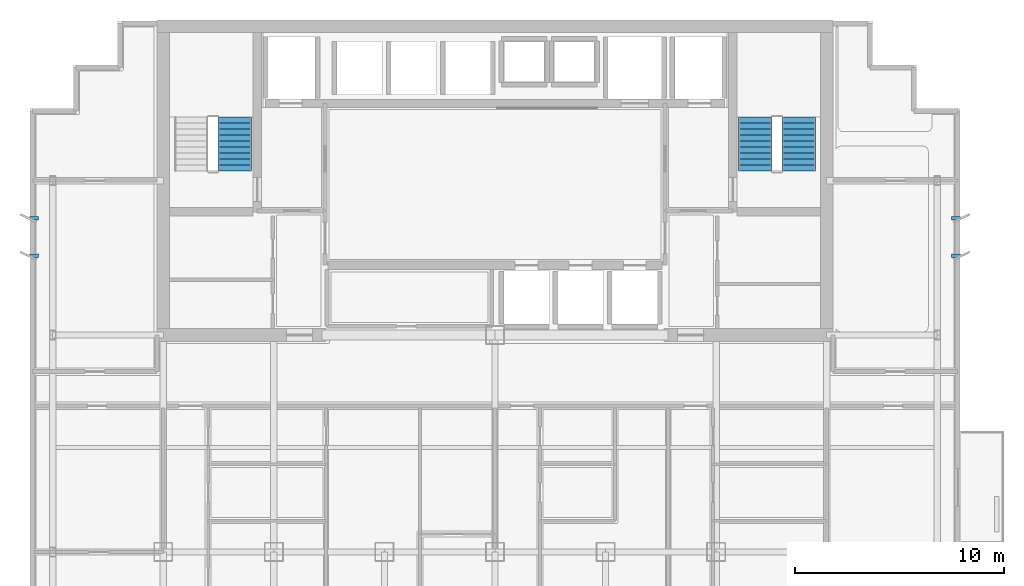
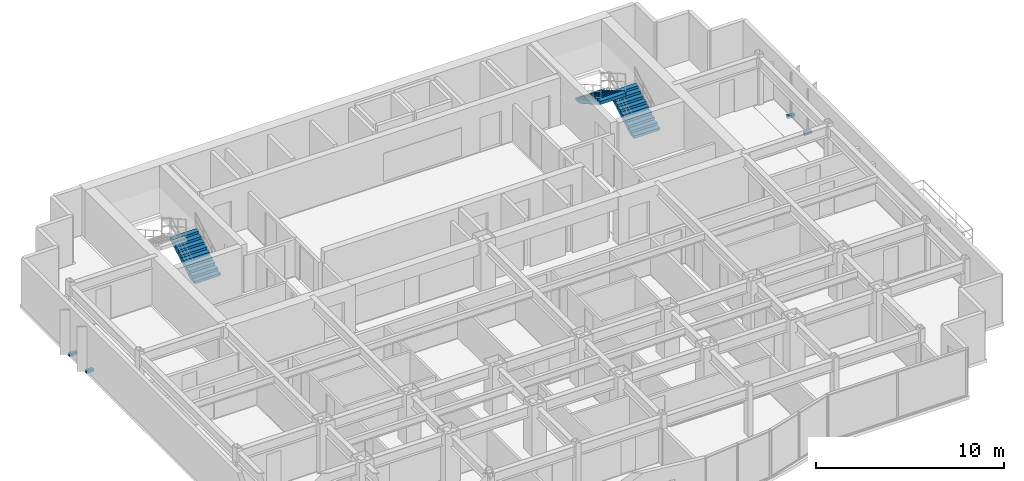
# One storey, part 9 of 11: 4 discrete accessories, 3 stair flights, 2 elements without a shape of their own.
"""IFC4 building model written with IfcOpenShell, lengths in metres."""

from ifc_helpers import new_model, si_unit, direction, frame, origin, origin_2d, place, context, subcontext, project, spatial, polyline, rectangle, outline, extrude, source, transform, mapped, material, type_object, element, aggregate, save


model = new_model("IFC4")

# Units and contexts
model_context = context("Model", 3, precision=1e-05, world=origin(), true_north=direction((0.0, 1.0)))
body_context = subcontext(model_context, "Body", "Model", "MODEL_VIEW")
ifc_project = project(units=[si_unit("LENGTHUNIT", "METRE"), si_unit("AREAUNIT", "SQUARE_METRE"), si_unit("VOLUMEUNIT", "CUBIC_METRE"), si_unit("PLANEANGLEUNIT", "RADIAN"), si_unit("MASSUNIT", "GRAM", prefix="KILO")], contexts=[model_context])

# Site, building, storey
site_placement = place(None, origin())
site = spatial("IfcSite", under=ifc_project, at=site_placement, CompositionType="ELEMENT")
building_placement = place(site_placement, origin())
building = spatial("IfcBuilding", under=site, at=building_placement, Name="Qianlan Lanfeng Residences", CompositionType="ELEMENT")
storey_placement = place(building_placement, frame((0.0, 0.0, 149.10009765625)))
storey = spatial("IfcBuildingStorey", under=building, at=storey_placement, Name="L40", CompositionType="ELEMENT", Elevation=149.10009765625)

# Stair, stair flight
ifc_material_1 = material(Name="Concrete C42", Category="concrete")
stair_type = type_object("IfcStairType", Name="STR-MAIN", PredefinedType="HALF_TURN_STAIR", material=ifc_material_1)
stair_1_placement = place(storey_placement, origin())
stair_1 = element("IfcStair", 1, at=stair_1_placement, inside=storey, type_object=stair_type, Name="L40 Exit Stair ST-1", PredefinedType="HALF_TURN_STAIR")
stair_flight_type = type_object("IfcStairFlightType", Name="FLT-1720", PredefinedType="STRAIGHT", material=ifc_material_1)
stair_flight_1_placement = place(storey_placement, frame((14.02001953125, 33.050048828125, 0.0), z_axis=(0.0, 0.0, 1.0), x_axis=(0.0, 1.0, 0.0)))
stair_flight_1 = element("IfcStairFlight", 2, at=stair_flight_1_placement, type_object=stair_flight_type, Name="ST-1 flight 1", NumberOfRisers=10, NumberOfTreads=9, PredefinedType="STRAIGHT", RiserHeight=0.165, TreadLength=0.29, context=body_context, shape_type="SweptSolid", body=[
    extrude(outline(polyline([(0.0, 0.0), (0.0, 0.1650390625), (0.2900390625, 0.1650390625), (0.2900390625, 0.330078125), (0.580078125, 0.330078125), (0.580078125, 0.4951171875), (0.8701171875, 0.4951171875), (0.8701171875, 0.659912109375), (1.159912109375, 0.659912109375), (1.159912109375, 0.824951171875), (1.449951171875, 0.824951171875), (1.449951171875, 0.989990234375), (1.739990234375, 0.989990234375), (1.739990234375, 1.155029296875), (2.030029296875, 1.155029296875), (2.030029296875, 1.320068359375), (2.320068359375, 1.320068359375), (2.320068359375, 1.485107421875), (2.610107421875, 1.485107421875), (2.610107421875, 1.64990234375), (2.610107421875, 1.278076171875), (0.36376953125, 0.0), (0.0, 0.0)])), frame((0.0, 0.800048828125, 0.0), z_axis=(0.0, -1.0, 0.0), x_axis=(1.0, 0.0, 0.0)), (0.0, 0.0, 1.0), 1.60009765625),
])
aggregate(stair_1, [stair_flight_1])

# Stair, stair flights
stair_2_placement = place(storey_placement, origin())
stair_2 = element("IfcStair", 3, at=stair_2_placement, inside=storey, type_object=stair_type, Name="L40 Exit Stair ST-2", PredefinedType="HALF_TURN_STAIR")
stair_flight_2_placement = place(storey_placement, frame((41.06005859375, 33.050048828125, 0.0), z_axis=(0.0, 0.0, 1.0), x_axis=(0.0, 1.0, 0.0)))
stair_flight_2 = element("IfcStairFlight", 4, at=stair_flight_2_placement, type_object=stair_flight_type, Name="ST-2 flight 1", NumberOfRisers=10, NumberOfTreads=9, PredefinedType="STRAIGHT", RiserHeight=0.165, TreadLength=0.29, context=body_context, shape_type="SweptSolid", body=[
    extrude(outline(polyline([(0.0, 0.0), (0.0, 0.1650390625), (0.2900390625, 0.1650390625), (0.2900390625, 0.330078125), (0.580078125, 0.330078125), (0.580078125, 0.4951171875), (0.8701171875, 0.4951171875), (0.8701171875, 0.659912109375), (1.159912109375, 0.659912109375), (1.159912109375, 0.824951171875), (1.449951171875, 0.824951171875), (1.449951171875, 0.989990234375), (1.739990234375, 0.989990234375), (1.739990234375, 1.155029296875), (2.030029296875, 1.155029296875), (2.030029296875, 1.320068359375), (2.320068359375, 1.320068359375), (2.320068359375, 1.485107421875), (2.610107421875, 1.485107421875), (2.610107421875, 1.64990234375), (2.610107421875, 1.278076171875), (0.36376953125, 0.0), (0.0, 0.0)])), frame((0.0, 0.800048828125, 0.0), z_axis=(0.0, -1.0, 0.0), x_axis=(1.0, 0.0, 0.0)), (0.0, 0.0, 1.0), 1.60009765625),
])
stair_flight_3_placement = place(storey_placement, frame((38.97998046875, 35.659912109375, 1.64990234375), z_axis=(0.0, 0.0, 1.0), x_axis=(0.0, -1.0, 0.0)))
stair_flight_3 = element("IfcStairFlight", 5, at=stair_flight_3_placement, type_object=stair_flight_type, Name="ST-2 flight 2", NumberOfRisers=10, NumberOfTreads=9, PredefinedType="STRAIGHT", RiserHeight=0.165, TreadLength=0.29, context=body_context, shape_type="SweptSolid", body=[
    extrude(outline(polyline([(0.0, 0.0), (0.0, 0.1650390625), (0.2900390625, 0.1650390625), (0.2900390625, 0.330078125), (0.580078125, 0.330078125), (0.580078125, 0.4951171875), (0.8701171875, 0.4951171875), (0.8701171875, 0.659912109375), (1.159912109375, 0.659912109375), (1.159912109375, 0.824951171875), (1.449951171875, 0.824951171875), (1.449951171875, 0.989990234375), (1.739990234375, 0.989990234375), (1.739990234375, 1.155029296875), (2.030029296875, 1.155029296875), (2.030029296875, 1.320068359375), (2.320068359375, 1.320068359375), (2.320068359375, 1.485107421875), (2.610107421875, 1.485107421875), (2.610107421875, 1.64990234375), (2.610107421875, 1.278076171875), (0.36376953125, 0.0), (0.0, 0.0)])), frame((0.0, 0.800048828125, 0.0), z_axis=(0.0, -1.0, 0.0), x_axis=(1.0, 0.0, 0.0)), (0.0, 0.0, 1.0), 1.60009765625),
])
aggregate(stair_2, [stair_flight_2, stair_flight_3])

# Discrete accessories
ifc_material_2 = material(Name="Stainless Steel Facade Bracket", Category="steel")
discrete_accessory_type = type_object("IfcDiscreteAccessoryType", Name="BRK-SS-350", PredefinedType="BRACKET", material=ifc_material_2)
shared_shape = source(origin(), body_context, "Body", "SweptSolid", [
    extrude(rectangle(XDim=0.449951171875, YDim=0.179931640625, at=origin_2d()), origin(), (0.0, 0.0, 1.0), 0.179931640625),
])
for number, where, z_axis, x_axis, name in (
    (6, (4.39990234375, 29.0, -0.14990234375), (0.0, 0.0, 1.0), (1.0, 0.0, 0.0), "L40 Raked Solar Fin Support Bracket W1"),
    (7, (4.39990234375, 30.800048828125, -0.14990234375), (0.0, 0.0, 1.0), (1.0, 0.0, 0.0), "L40 Raked Solar Fin Support Bracket W2"),
    (8, (48.60009765625, 29.0, -0.14990234375), (0.0, 0.0, 1.0), (1.0, 0.0, 0.0), "L40 Raked Solar Fin Support Bracket E1"),
    (9, (48.60009765625, 30.800048828125, -0.14990234375), (0.0, 0.0, 1.0), (1.0, 0.0, 0.0), "L40 Raked Solar Fin Support Bracket E2"),
):
    element("IfcDiscreteAccessory", number, at=place(storey_placement, frame(where, z_axis=z_axis, x_axis=x_axis)), inside=storey, type_object=discrete_accessory_type, Name=name, PredefinedType="BRACKET", context=body_context, shape_type="MappedRepresentation", body=[
        mapped(shared_shape, transform((0.0, 0.0, 0.0), scale=1.0)),
    ])

save(model, "model.ifc")
